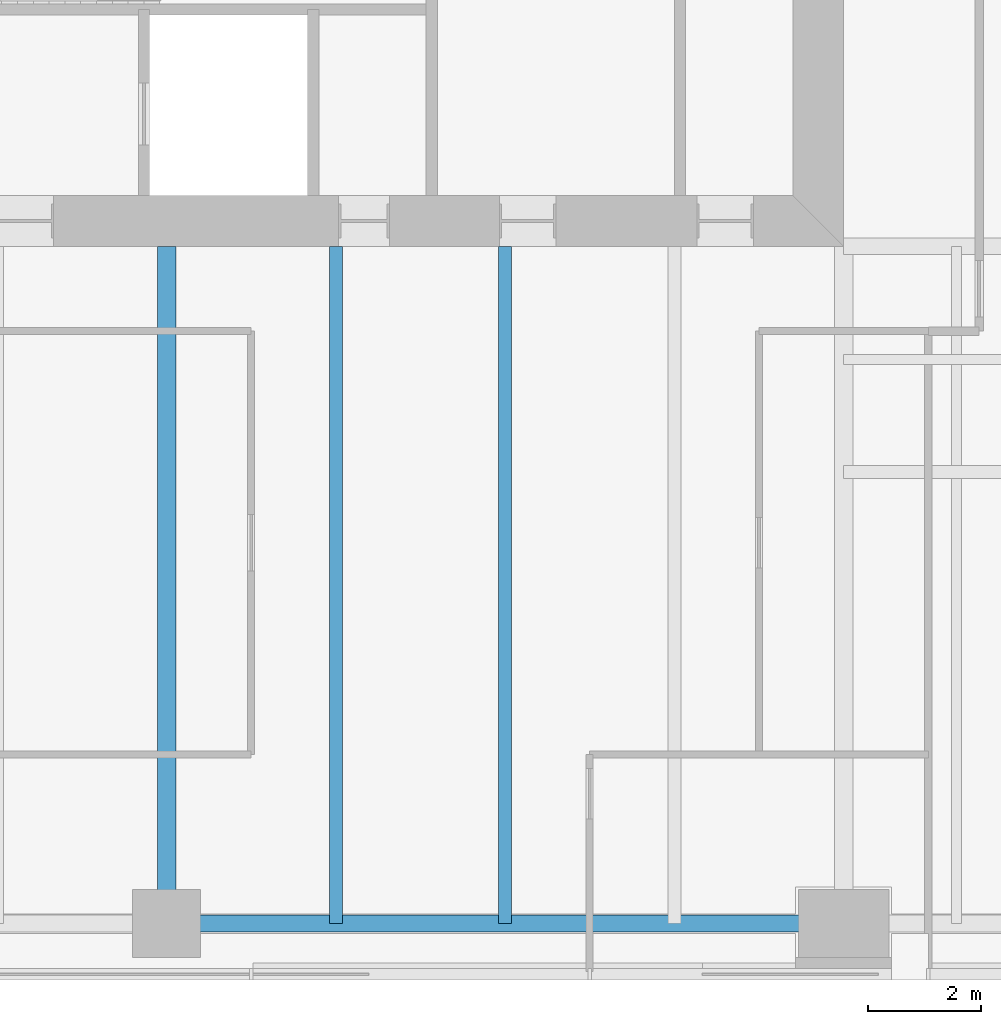
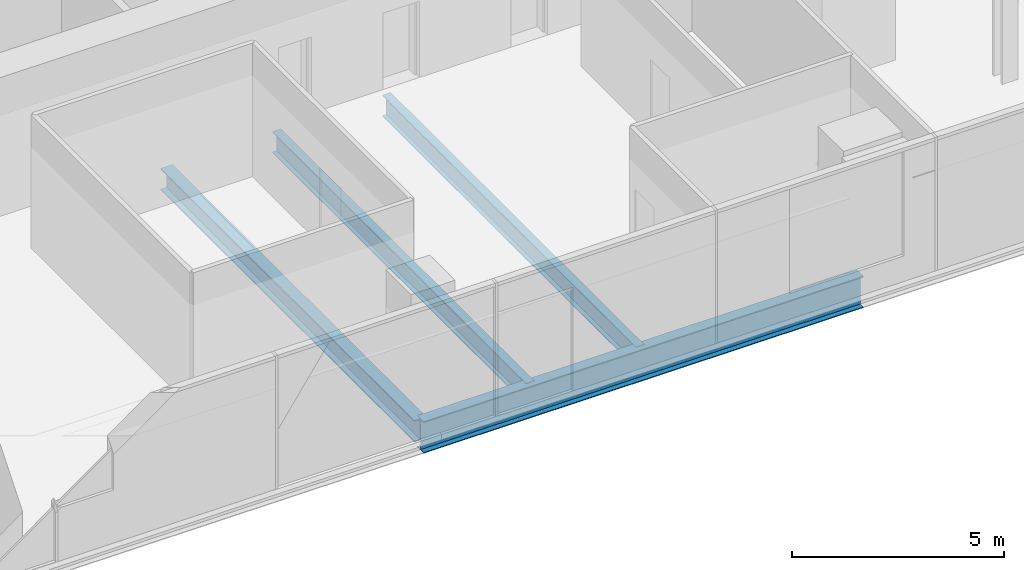
# One storey, part 3 of 14: 4 beams.
"""IFC4 building model written with IfcOpenShell, lengths in metres."""

from ifc_helpers import new_model, si_unit, direction, frame, origin, origin_2d, place, context, subcontext, project, spatial, i_section, extrude, material, material_profile, profile_set, type_object, element, save


model = new_model("IFC4")

# Units and contexts
model_context = context("Model", 3, precision=1e-05, world=origin(), true_north=direction((0.0, 1.0)))
body_context = subcontext(model_context, "Body", "Model", "MODEL_VIEW")
ifc_project = project(units=[si_unit("LENGTHUNIT", "METRE"), si_unit("AREAUNIT", "SQUARE_METRE"), si_unit("VOLUMEUNIT", "CUBIC_METRE"), si_unit("PLANEANGLEUNIT", "RADIAN"), si_unit("MASSUNIT", "GRAM", prefix="KILO")], contexts=[model_context])

# Site, building, storey
site_placement = place(None, origin())
site = spatial("IfcSite", under=ifc_project, at=site_placement, CompositionType="ELEMENT")
building_placement = place(site_placement, origin())
building = spatial("IfcBuilding", under=site, at=building_placement, Name="Fenwick Lantern Interchange", CompositionType="ELEMENT")
storey_placement = place(building_placement, frame((0.0, 0.0, 173.800048828125)))
storey = spatial("IfcBuildingStorey", under=building, at=storey_placement, Name="L40", CompositionType="ELEMENT", Elevation=173.800048828125)

# Beams
ifc_material = material(Name="Steel ASTM A992 Grade 50", Category="steel")
ifc_material_profile_1 = material_profile(ifc_material, i_section(OverallWidth=0.3046875, OverallDepth=0.911865234375, WebThickness=0.015869140625, FlangeThickness=0.02392578125, at=origin_2d()), Name="W36X150")
ifc_profile_set_1 = profile_set([ifc_material_profile_1], Name="Steel ASTM A992 Grade 50")
beam_type_1 = type_object("IfcBeamType", Name="EDGE BEAM W36X150", PredefinedType="SPANDREL", material=ifc_profile_set_1)
beam_1_placement = place(storey_placement, frame((25.0, 1.0, -0.60595703125), z_axis=(1.0, 0.0, 0.0), x_axis=(0.0, 1.0, 0.0)))
element("IfcBeam", 1, at=beam_1_placement, inside=storey, type_object=beam_type_1, Name="L40/FR/S/EB3", PredefinedType="SPANDREL", context=body_context, shape_type="SweptSolid", body=[
    extrude(i_section(OverallWidth=0.3046875, OverallDepth=0.911865234375, WebThickness=0.015869140625, FlangeThickness=0.02392578125, at=origin_2d()), origin(), (0.0, 0.0, 1.0), 12.0),
])
ifc_material_profile_2 = material_profile(ifc_material, i_section(OverallWidth=0.22900390625, OverallDepth=0.612060546875, WebThickness=0.011962890625, FlangeThickness=0.01953125, at=origin_2d()), Name="W24X84")
ifc_profile_set_2 = profile_set([ifc_material_profile_2], Name="Steel ASTM A992 Grade 50")
beam_type_2 = type_object("IfcBeamType", Name="FLOOR BEAM W24X84", PredefinedType="BEAM", material=ifc_profile_set_2)
for number, where, z_axis, x_axis, name in (
    (2, (28.0, 1.0, -0.4560546875), (0.0, 1.0, 0.0), (-1.0, 0.0, 0.0), "L40/FR/S/R06"),
    (3, (31.0, 1.0, -0.4560546875), (0.0, 1.0, 0.0), (-1.0, 0.0, 0.0), "L40/FR/S/R07"),
):
    element("IfcBeam", number, at=place(storey_placement, frame(where, z_axis=z_axis, x_axis=x_axis)), inside=storey, type_object=beam_type_2, Name=name, PredefinedType="BEAM", context=body_context, shape_type="SweptSolid", body=[
        extrude(i_section(OverallWidth=0.22900390625, OverallDepth=0.612060546875, WebThickness=0.011962890625, FlangeThickness=0.01953125, at=origin_2d()), origin(), (0.0, 0.0, 1.0), 12.0),
    ])
ifc_material_profile_3 = material_profile(ifc_material, i_section(OverallWidth=0.32763671875, OverallDepth=0.622314453125, WebThickness=0.015380859375, FlangeThickness=0.0244140625, at=origin_2d()), Name="W24X131")
ifc_profile_set_3 = profile_set([ifc_material_profile_3], Name="Steel ASTM A992 Grade 50")
beam_type_3 = type_object("IfcBeamType", Name="MOMENT-CONNECTED GIRDER W24X131", PredefinedType="BEAM", material=ifc_profile_set_3)
beam_2_placement = place(storey_placement, frame((25.0, 1.0, -0.461181640625), z_axis=(0.0, 1.0, 0.0), x_axis=(-1.0, 0.0, 0.0)))
element("IfcBeam", 4, at=beam_2_placement, inside=storey, type_object=beam_type_3, Name="L40/FR/S/R05", PredefinedType="BEAM", context=body_context, shape_type="SweptSolid", body=[
    extrude(i_section(OverallWidth=0.32763671875, OverallDepth=0.622314453125, WebThickness=0.015380859375, FlangeThickness=0.0244140625, at=origin_2d()), origin(), (0.0, 0.0, 1.0), 12.0),
])

save(model, "model.ifc")
